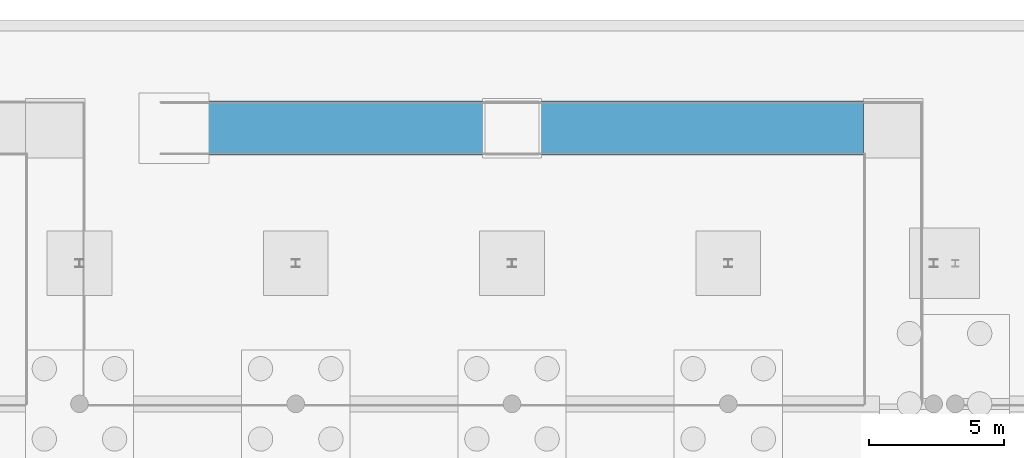
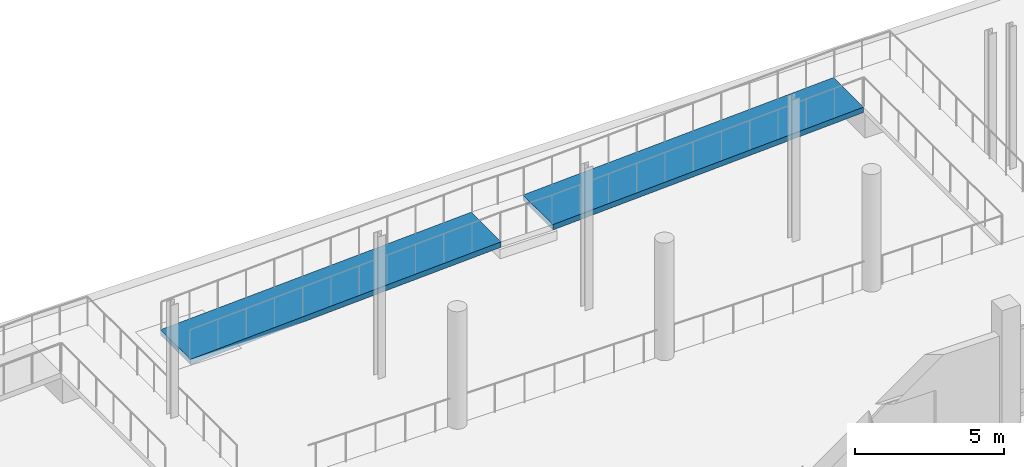
# One storey, part 60 of 72: 2 ramp flights, 1 element without a shape of its own.
"""IFC4 building model written with IfcOpenShell, lengths in metres."""

from ifc_helpers import new_model, si_unit, direction, frame, origin, place, context, subcontext, project, spatial, polyline, outline, extrude, material, layer, layer_set, type_object, element, aggregate, save


model = new_model("IFC4")

# Units and contexts
model_context = context("Model", 3, precision=1e-05, world=origin(), true_north=direction((0.0, 1.0)))
body_context = subcontext(model_context, "Body", "Model", "MODEL_VIEW")
ifc_project = project(units=[si_unit("LENGTHUNIT", "METRE"), si_unit("AREAUNIT", "SQUARE_METRE"), si_unit("VOLUMEUNIT", "CUBIC_METRE"), si_unit("PLANEANGLEUNIT", "RADIAN"), si_unit("MASSUNIT", "GRAM", prefix="KILO"), si_unit("THERMODYNAMICTEMPERATUREUNIT", "KELVIN"), si_unit("POWERUNIT", "WATT")], contexts=[model_context])

# Site, building, storey
site_placement = place(None, origin())
site = spatial("IfcSite", under=ifc_project, at=site_placement, CompositionType="ELEMENT")
building_placement = place(site_placement, origin())
building = spatial("IfcBuilding", under=site, at=building_placement, Name="Kronsvod Quay Wholesale Market", CompositionType="ELEMENT")
storey_placement = place(building_placement, origin())
storey = spatial("IfcBuildingStorey", under=building, at=storey_placement, Name="L00", CompositionType="ELEMENT", Elevation=0.0)

# Ramp, ramp flights
ifc_material_1 = material(Name="Concrete C35/45", Category="concrete")
ramp_type = type_object("IfcRampType", Name="Ramp_Accessible1to20", PredefinedType="STRAIGHT_RUN_RAMP", material=ifc_material_1)
ramp_placement = place(storey_placement, origin())
ramp = element("IfcRamp", 1, at=ramp_placement, inside=storey, type_object=ramp_type, Name="RMP-N03", PredefinedType="STRAIGHT_RUN_RAMP")
ifc_material_2 = material(Name="Concrete C35/45", Category="concrete")
ifc_layer = layer(ifc_material_2, 0.219970703125)
ifc_layer_set = layer_set([ifc_layer], Name="Concrete C35/45")
ramp_flight_type = type_object("IfcRampFlightType", Name="RampFlight_12m", PredefinedType="STRAIGHT", material=ifc_layer_set)
ramp_flight_1_placement = place(storey_placement, frame((99.0, 136.199951171875, -1.199951171875), z_axis=(0.0, 0.0, 1.0), x_axis=(1.0, 0.0, 0.0)))
ramp_flight_1 = element("IfcRampFlight", 2, at=ramp_flight_1_placement, type_object=ramp_flight_type, Name="RMP-N03-F1", PredefinedType="STRAIGHT", context=body_context, shape_type="SweptSolid", body=[
    extrude(outline(polyline([(0.0, 0.0), (0.0, -0.219970703125), (12.0, 0.380126953125), (12.0, 0.60009765625), (0.0, 0.0)])), frame((0.0, 1.0, 0.0), z_axis=(0.0, -1.0, 0.0), x_axis=(1.0, 0.0, 0.0)), (0.0, 0.0, 1.0), 2.0),
])
ramp_flight_2_placement = place(storey_placement, frame((113.0, 136.199951171875, -0.60009765625), z_axis=(0.0, 0.0, 1.0), x_axis=(1.0, 0.0, 0.0)))
ramp_flight_2 = element("IfcRampFlight", 3, at=ramp_flight_2_placement, type_object=ramp_flight_type, Name="RMP-N03-F2", PredefinedType="STRAIGHT", context=body_context, shape_type="SweptSolid", body=[
    extrude(outline(polyline([(0.0, 0.0), (0.0, -0.219970703125), (12.0, 0.380126953125), (12.0, 0.60009765625), (0.0, 0.0)])), frame((0.0, 1.0, 0.0), z_axis=(0.0, -1.0, 0.0), x_axis=(1.0, 0.0, 0.0)), (0.0, 0.0, 1.0), 2.0),
])
aggregate(ramp, [ramp_flight_1, ramp_flight_2])

save(model, "model.ifc")
